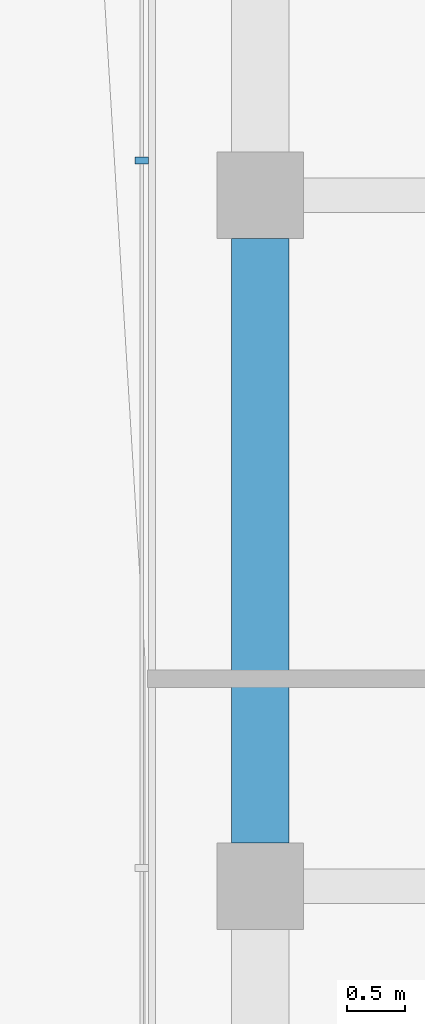
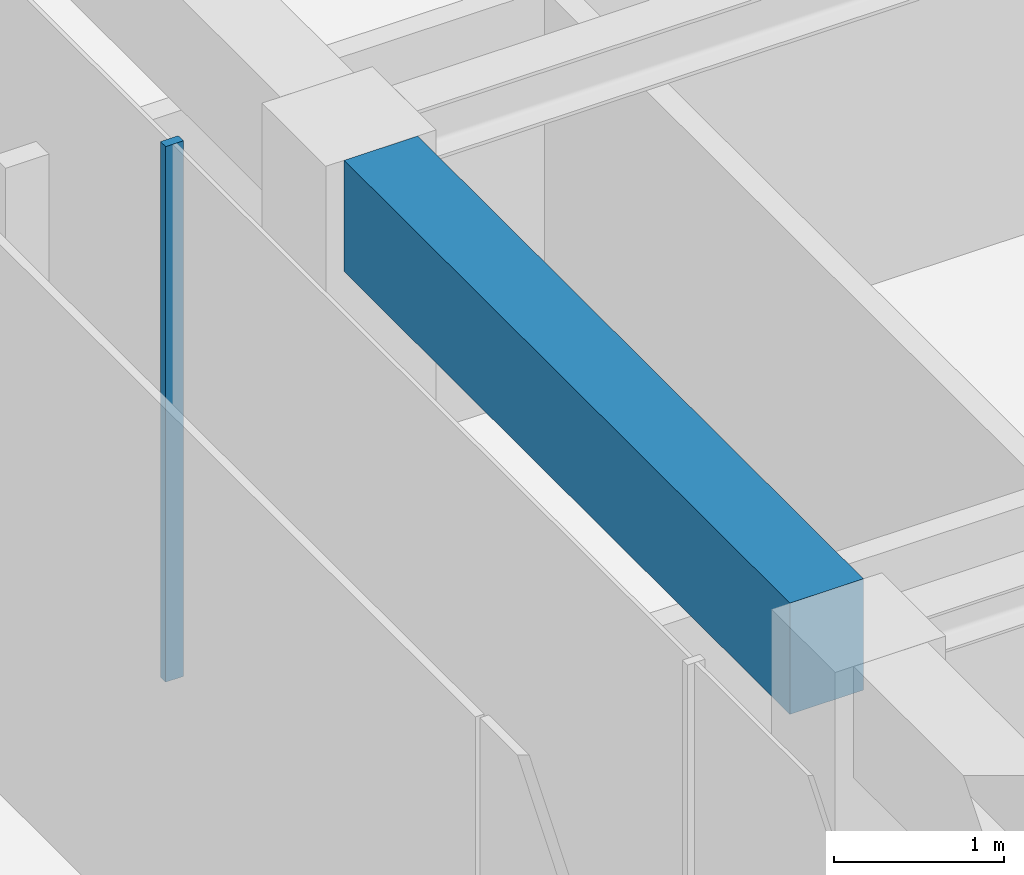
# One storey, part 7 of 21: 1 beam, 1 member, 1 element without a shape of its own.
"""IFC4 building model written with IfcOpenShell, lengths in metres."""

import ifcopenshell
import ifcopenshell.guid

model = None  # the IFC model being written
_history = None  # IfcOwnerHistory: only IFC2X3 demands one
_inside = {}  # id of a spatial element -> (the spatial element, [elements in it])
_under = {}  # id of a project, library or spatial element -> (it, [spatial elements below it])
_declared = {}  # id of a project -> (the project, [libraries it declares])
_typed = {}  # id of a type object -> (the type object, [elements of that type])
_made_of = {}  # id of a material, layer set ... -> (it, [elements and type objects made of it])


def new_model(schema):
    """Start an empty IFC model of exactly this schema.

    Asked for "IFC4X3", IfcOpenShell would pick the latest addendum, in which some entities
    have other attributes; the version numbers below select the first issue.
    IFC2X3 requires an IfcOwnerHistory on every rooted entity: one is made here for all.
    """
    global model, _history
    if schema == "IFC4X3":
        model = ifcopenshell.file(schema_version=(4, 3, 0, 0))
    else:
        model = ifcopenshell.file(schema=schema)
    _inside.clear()
    _under.clear()
    _declared.clear()
    _typed.clear()
    _made_of.clear()
    _history = None
    if model.schema == "IFC2X3":
        org = make("IfcOrganization", Name="unknown")
        user = make(
            "IfcPersonAndOrganization",
            ThePerson=make("IfcPerson", FamilyName="unknown"),
            TheOrganization=org,
        )
        app = make(
            "IfcApplication",
            ApplicationDeveloper=org,
            Version="unknown",
            ApplicationFullName="unknown",
            ApplicationIdentifier="unknown",
        )
        _history = make(
            "IfcOwnerHistory",
            OwningUser=user,
            OwningApplication=app,
            ChangeAction="ADDED",
            CreationDate=0,
        )
    return model


def make(cls, **values):
    """One entity of the class cls with the attributes given. An attribute that is None is left unset."""
    return model.create_entity(
        cls, **{name: value for name, value in values.items() if value is not None}
    )


def rooted(cls, **values):
    """An entity with a GlobalId (a new one), such as an element, a storey or a relation."""
    return make(cls, GlobalId=ifcopenshell.guid.new(), OwnerHistory=_history, **values)


def si_unit(unit_type, name, prefix=None):
    """IfcSIUnit, for example si_unit("LENGTHUNIT", "METRE", prefix="MILLI")."""
    return make("IfcSIUnit", UnitType=unit_type, Prefix=prefix, Name=name)


def assignment(units):
    """IfcUnitAssignment: the units of a project."""
    return None if units is None else make("IfcUnitAssignment", Units=units)


def point(xyz):
    """IfcCartesianPoint."""
    return None if xyz is None else make("IfcCartesianPoint", Coordinates=xyz)


def direction(xyz):
    """IfcDirection."""
    return None if xyz is None else make("IfcDirection", DirectionRatios=xyz)


def frame(location, z_axis=None, x_axis=None):
    """IfcAxis2Placement3D, a coordinate frame: its origin and axes. An axis left out is left unset."""
    return make(
        "IfcAxis2Placement3D",
        Location=point(location),
        Axis=direction(z_axis),
        RefDirection=direction(x_axis),
    )


def frame_2d(location, x_axis=None):
    """IfcAxis2Placement2D, a coordinate frame in the plane: its origin and x axis."""
    return make(
        "IfcAxis2Placement2D", Location=point(location), RefDirection=direction(x_axis)
    )


def origin():
    """The frame at (0, 0, 0) with its axes left unset."""
    return frame((0.0, 0.0, 0.0))


def origin_2d():
    """The frame at (0, 0) in the plane with its x axis left unset."""
    return frame_2d((0.0, 0.0))


def place(relative_to, where):
    """IfcLocalPlacement: puts the frame where relative to a parent placement (None: the world)."""
    return make(
        "IfcLocalPlacement", PlacementRelTo=relative_to, RelativePlacement=where
    )


def context(
    kind, dimensions, precision=None, world=None, true_north=None, identifier=None
):
    """IfcGeometricRepresentationContext, for example the 3D "Model" context."""
    return make(
        "IfcGeometricRepresentationContext",
        ContextIdentifier=identifier,
        ContextType=kind,
        CoordinateSpaceDimension=dimensions,
        Precision=precision,
        WorldCoordinateSystem=world,
        TrueNorth=true_north,
    )


def subcontext(parent, identifier, kind, view, scale=None):
    """IfcGeometricRepresentationSubContext, for example "Body" below "Model"."""
    return make(
        "IfcGeometricRepresentationSubContext",
        ContextIdentifier=identifier,
        ContextType=kind,
        ParentContext=parent,
        TargetScale=scale,
        TargetView=view,
    )


def project(units=None, contexts=None):
    """IfcProject with its units and contexts."""
    return rooted(
        "IfcProject",
        Name="project",
        RepresentationContexts=contexts,
        UnitsInContext=assignment(units),
    )


def spatial(cls, under=None, at=None, **own):
    """A site, building, storey or space (cls), placed at a placement, below another one or the project."""
    s = rooted(cls, ObjectPlacement=at, **own)
    if under is not None:
        _under.setdefault(under.id(), (under, []))[1].append(s)
    return s


def profile(cls, at=None, kind="AREA", **sizes):
    """A parametric profile (cls). Its sizes go by their IFC names, for example OverallWidth=200.0."""
    return make(cls, ProfileType=kind, Position=at, **sizes)


def rectangle(**sizes):
    """IfcRectangleProfileDef."""
    return profile("IfcRectangleProfileDef", **sizes)


def extrude(swept, where, along, depth):
    """IfcExtrudedAreaSolid: the profile swept, set in the frame where, extruded along a direction by depth."""
    return make(
        "IfcExtrudedAreaSolid",
        SweptArea=swept,
        Position=where,
        ExtrudedDirection=direction(along),
        Depth=depth,
    )


def shape(context_of_items, identifier, shape_type, items):
    """IfcShapeRepresentation: the items that make up one representation, for example the "Body"."""
    return make(
        "IfcShapeRepresentation",
        ContextOfItems=context_of_items,
        RepresentationIdentifier=identifier,
        RepresentationType=shape_type,
        Items=items,
    )


def material(Name=None, Category=None):
    """IfcMaterial."""
    return make("IfcMaterial", Name=Name, Category=Category)


def layer(
    of_material, thickness, ventilated=None, Name=None, Category=None, Priority=None
):
    """IfcMaterialLayer: one layer of a wall or slab, of a material (None: an air gap)."""
    return make(
        "IfcMaterialLayer",
        Material=of_material,
        LayerThickness=thickness,
        IsVentilated=ventilated,
        Name=Name,
        Category=Category,
        Priority=Priority,
    )


def layer_set(layers, Name=None):
    """IfcMaterialLayerSet."""
    return make("IfcMaterialLayerSet", MaterialLayers=layers, LayerSetName=Name)


def material_profile(
    of_material, cross_section, Name=None, Category=None, Priority=None
):
    """IfcMaterialProfile: a cross section and its material."""
    return make(
        "IfcMaterialProfile",
        Name=Name,
        Material=of_material,
        Profile=cross_section,
        Priority=Priority,
        Category=Category,
    )


def profile_set(profiles, Name=None, composite=None):
    """IfcMaterialProfileSet."""
    return make(
        "IfcMaterialProfileSet",
        Name=Name,
        MaterialProfiles=profiles,
        CompositeProfile=composite,
    )


def made_of(thing, what):
    """Note that an element or type object is made of a material, layer set ...; save() writes the relation."""
    if what is not None:
        _made_of.setdefault(what.id(), (what, []))[1].append(thing)
    return thing


def type_object(cls, material=None, **own):
    """A type object (cls), such as IfcWallType, which elements share."""
    return made_of(rooted(cls, **own), material)


def element(
    cls,
    number,
    at=None,
    inside=None,
    cuts=None,
    type_object=None,
    material=None,
    context=None,
    identifier="Body",
    shape_type=None,
    held_by="IfcProductDefinitionShape",
    body=None,
    shapes=None,
    **own,
):
    """One element of the class cls, such as IfcWall. Its Tag is "e" and its number.

    at: its placement. inside: the storey or other place that contains it. cuts: it is an
    opening in that element (IfcRelVoidsElement). A single representation is given by context,
    identifier, shape_type and body (its items); several are given by shapes. held_by: the class
    of the entity that holds the representations. save() writes the other relations.
    """
    e = rooted(cls, Tag="e%d" % number, ObjectPlacement=at, **own)
    if body is not None:
        shapes = [shape(context, identifier, shape_type, body)]
    if shapes is not None:
        e.Representation = make(held_by, Representations=shapes)
    if inside is not None:
        _inside.setdefault(inside.id(), (inside, []))[1].append(e)
    if cuts is not None:
        rooted(
            "IfcRelVoidsElement", RelatingBuildingElement=cuts, RelatedOpeningElement=e
        )
    if type_object is not None:
        _typed.setdefault(type_object.id(), (type_object, []))[1].append(e)
    return made_of(e, material)


def aggregate(whole, parts):
    """IfcRelAggregates: a whole, such as a stair, and the parts it consists of."""
    return rooted("IfcRelAggregates", RelatingObject=whole, RelatedObjects=parts)


def save(model, path):
    """Write the relations noted so far, then the file.

    IfcRelAggregates (storeys below a building ...), IfcRelContainedInSpatialStructure (elements
    in a storey), IfcRelDefinesByType, IfcRelAssociatesMaterial and IfcRelDeclares: one each for
    every whole, place, type object, material and project.
    """
    for whole, parts in _under.values():
        aggregate(whole, parts)
    for where, things in _inside.values():
        rooted(
            "IfcRelContainedInSpatialStructure",
            RelatedElements=things,
            RelatingStructure=where,
        )
    for kind, things in _typed.values():
        rooted("IfcRelDefinesByType", RelatedObjects=things, RelatingType=kind)
    for what, things in _made_of.values():
        rooted("IfcRelAssociatesMaterial", RelatedObjects=things, RelatingMaterial=what)
    for by, libraries in _declared.values():
        rooted("IfcRelDeclares", RelatingContext=by, RelatedDefinitions=libraries)
    model.write(path)


model = new_model("IFC4")

# Units and contexts
model_context = context("Model", 3, precision=1e-05, world=origin(), true_north=direction((0.0, 1.0)))
body_context = subcontext(model_context, "Body", "Model", "MODEL_VIEW")
ifc_project = project(units=[si_unit("LENGTHUNIT", "METRE"), si_unit("AREAUNIT", "SQUARE_METRE"), si_unit("VOLUMEUNIT", "CUBIC_METRE"), si_unit("PLANEANGLEUNIT", "RADIAN"), si_unit("MASSUNIT", "GRAM", prefix="KILO")], contexts=[model_context])

# Site, building, storey
site_placement = place(None, origin())
site = spatial("IfcSite", under=ifc_project, at=site_placement, CompositionType="ELEMENT")
building_placement = place(site_placement, origin())
building = spatial("IfcBuilding", under=site, at=building_placement, Name="Welwitschia Terrace Campus", CompositionType="ELEMENT")
storey_placement = place(building_placement, frame((0.0, 0.0, 302.0)))
storey = spatial("IfcBuildingStorey", under=building, at=storey_placement, Name="L67", CompositionType="ELEMENT", Elevation=302.0)

# Curtain wall, member
ifc_material_1 = material(Name="Bronze anodised aluminium", Category="aluminium")
ifc_layer = layer(ifc_material_1, 0.1201171875)
ifc_layer_set = layer_set([ifc_layer], Name="Bronze anodised aluminium")
curtain_wall_type = type_object("IfcCurtainWallType", Name="Curtain wall CW2 tower 6000", PredefinedType="NOTDEFINED", material=ifc_layer_set)
curtain_wall_placement = place(storey_placement, origin())
curtain_wall = element("IfcCurtainWall", 1, at=curtain_wall_placement, inside=storey, type_object=curtain_wall_type, Name="CW L67.8.0", PredefinedType="NOTDEFINED")
ifc_material_2 = material(Name="Bronze anodised aluminium", Category="aluminium")
ifc_material_profile_1 = material_profile(ifc_material_2, rectangle(XDim=0.1201171875, YDim=0.06005859375, at=origin_2d()))
ifc_profile_set_1 = profile_set([ifc_material_profile_1], Name="Bronze anodised aluminium")
member_type = type_object("IfcMemberType", Name="Mullion 60x120", PredefinedType="MULLION", material=ifc_profile_set_1)
member_placement = place(storey_placement, frame((-1.030029296875, 32.3017578125, 0.0), z_axis=(0.0, 0.0, 1.0), x_axis=(1.0, 0.0, 0.0)))
member = element("IfcMember", 2, at=member_placement, type_object=member_type, Name="Mullion L67.8.0.5", PredefinedType="MULLION", context=body_context, shape_type="SweptSolid", body=[
    extrude(rectangle(XDim=0.1201171875, YDim=0.06005859375, at=origin_2d()), origin(), (0.0, 0.0, 1.0), 3.85009765625),
])
aggregate(curtain_wall, [member])

# Beam
ifc_material_3 = material(Name="Concrete C50/60", Category="concrete")
ifc_material_profile_2 = material_profile(ifc_material_3, rectangle(XDim=0.5, YDim=0.800048828125, at=origin_2d()))
ifc_profile_set_2 = profile_set([ifc_material_profile_2], Name="Concrete C50/60")
beam_type = type_object("IfcBeamType", Name="Ring spandrel 500x800", PredefinedType="SPANDREL", material=ifc_profile_set_2)
beam_placement = place(storey_placement, frame((0.0, 31.62451171875, 3.449951171875), z_axis=(0.0, -1.0, 0.0), x_axis=(1.0, 0.0, 0.0)))
element("IfcBeam", 3, at=beam_placement, inside=storey, type_object=beam_type, Name="Spandrel SP4", PredefinedType="SPANDREL", context=body_context, shape_type="SweptSolid", body=[
    extrude(rectangle(XDim=0.5, YDim=0.800048828125, at=origin_2d()), origin(), (0.0, 0.0, 1.0), 5.2490234375),
])

save(model, "model.ifc")
